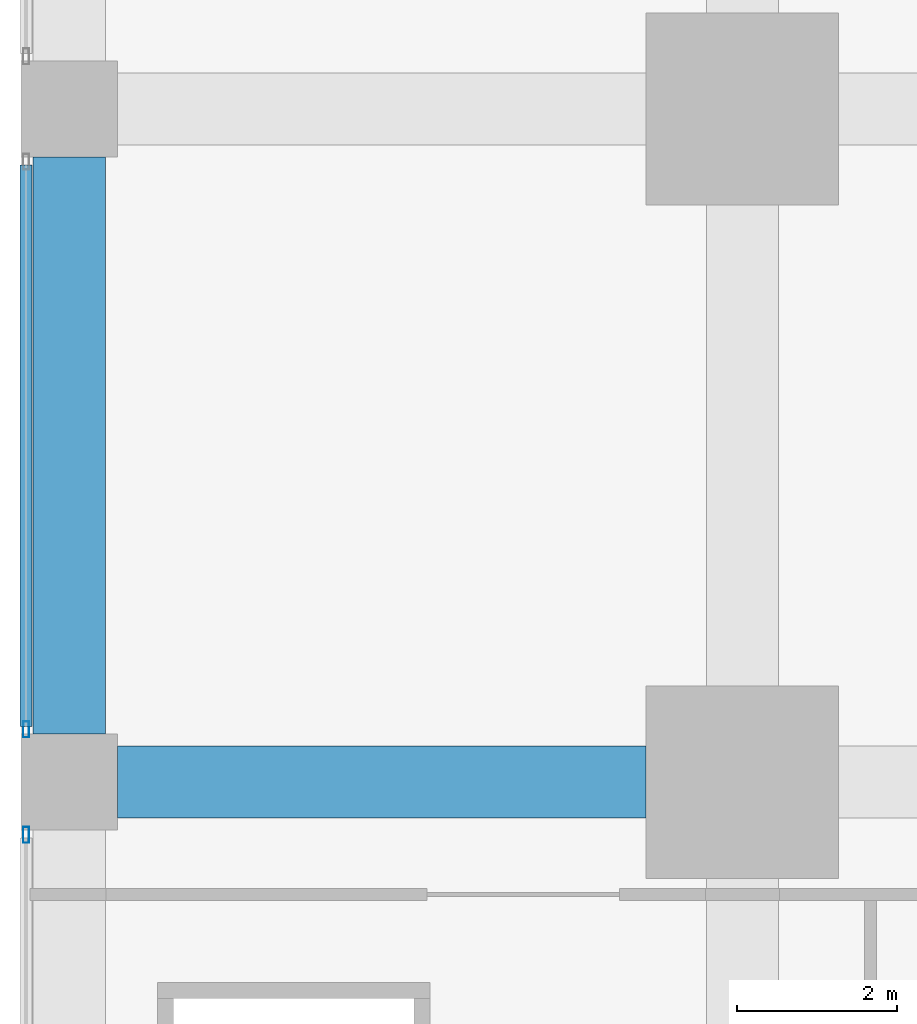
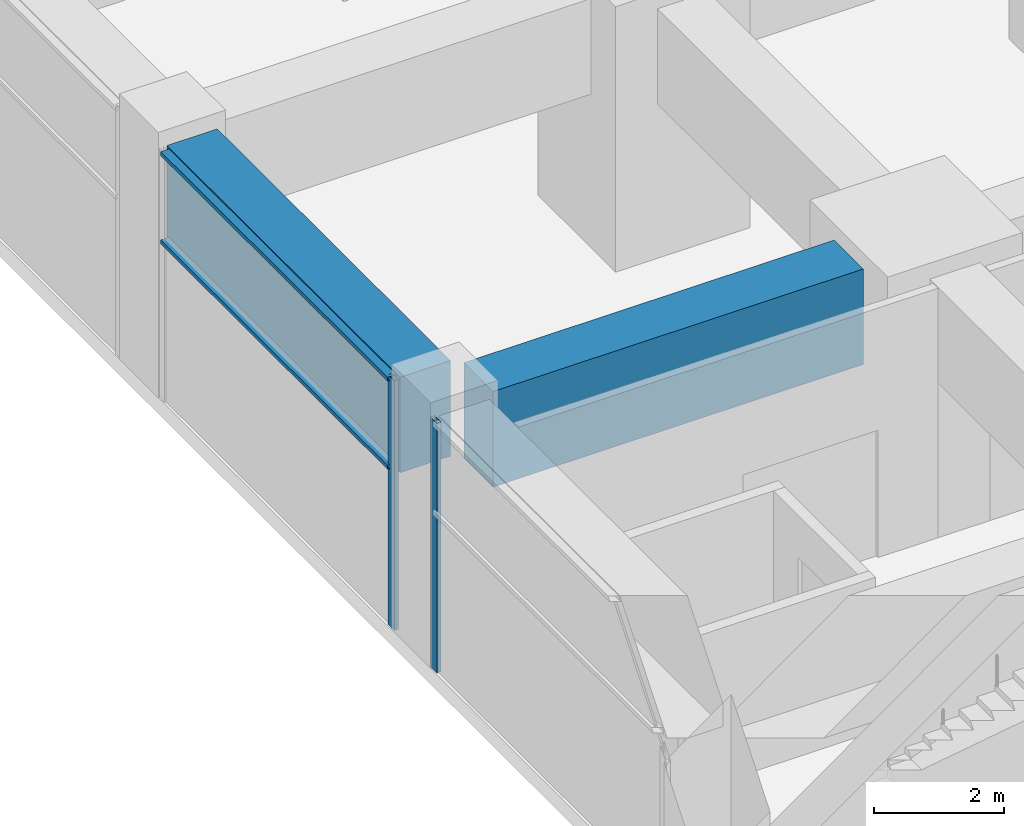
# One storey, part 19 of 49: 4 members, 2 beams, 2 elements without a shape of their own.
"""IFC4 building model written with IfcOpenShell, lengths in metres."""

from ifc_helpers import new_model, si_unit, direction, frame, origin, origin_2d, place, context, subcontext, project, spatial, rectangle, hollow_rectangle, extrude, material, material_profile, profile_set, type_object, element, aggregate, save


model = new_model("IFC4")

# Units and contexts
model_context = context("Model", 3, precision=1e-05, world=origin(), true_north=direction((0.0, 1.0)))
body_context = subcontext(model_context, "Body", "Model", "MODEL_VIEW")
ifc_project = project(units=[si_unit("LENGTHUNIT", "METRE"), si_unit("AREAUNIT", "SQUARE_METRE"), si_unit("VOLUMEUNIT", "CUBIC_METRE"), si_unit("PLANEANGLEUNIT", "RADIAN"), si_unit("MASSUNIT", "GRAM", prefix="KILO")], contexts=[model_context])

# Site, building, storey
site_placement = place(None, origin())
site = spatial("IfcSite", under=ifc_project, at=site_placement, CompositionType="ELEMENT")
building_placement = place(site_placement, origin())
building = spatial("IfcBuilding", under=site, at=building_placement, Name="Rekha Terrace Tower", CompositionType="ELEMENT")
storey_placement = place(building_placement, frame((0.0, 0.0, 10.39990234375)))
storey = spatial("IfcBuildingStorey", under=building, at=storey_placement, Name="L02", CompositionType="ELEMENT", Elevation=10.39990234375)

# Curtain wall, member
ifc_material_1 = material(Name="Aluminium framing", Category="aluminium")
curtain_wall_type = type_object("IfcCurtainWallType", Name="CW4 podium shopfront glazing", PredefinedType="USERDEFINED", material=ifc_material_1)
curtain_wall_1_placement = place(storey_placement, origin())
curtain_wall_1 = element("IfcCurtainWall", 1, at=curtain_wall_1_placement, inside=storey, type_object=curtain_wall_type, Name="CW4 shopfront curtain wall", ObjectType="SHOPFRONT CURTAIN WALL", PredefinedType="USERDEFINED")
ifc_material_2 = material(Name="Aluminium mullion section", Category="aluminium")
ifc_material_profile_1 = material_profile(ifc_material_2, hollow_rectangle(XDim=0.074951171875, YDim=0.199951171875, WallThickness=0.00390625, at=origin_2d()), Name="AL RHS 75x200")
ifc_profile_set_1 = profile_set([ifc_material_profile_1], Name="Aluminium mullion section")
member_type_1 = type_object("IfcMemberType", Name="CW4 mullion RHS 75 x 200", PredefinedType="MULLION", material=ifc_profile_set_1)
member_1_placement = place(storey_placement, frame((-0.5400390625, 42.657470703125, 0.0), z_axis=(0.0, 0.0, 1.0), x_axis=(1.0, 0.0, 0.0)))
member_1 = element("IfcMember", 2, at=member_1_placement, type_object=member_type_1, Name="CW4 mullion 2", PredefinedType="MULLION", context=body_context, shape_type="SweptSolid", body=[
    extrude(hollow_rectangle(XDim=0.074951171875, YDim=0.199951171875, WallThickness=0.00390625, at=origin_2d()), origin(), (0.0, 0.0, 1.0), 4.7001953125),
])

curtain_wall_2_placement = place(storey_placement, origin())
curtain_wall_2 = element("IfcCurtainWall", 3, at=curtain_wall_2_placement, inside=storey, type_object=curtain_wall_type, Name="CW4 shopfront curtain wall", ObjectType="SHOPFRONT CURTAIN WALL", PredefinedType="USERDEFINED")
member_2_placement = place(storey_placement, frame((-0.5400390625, 41.342529296875, 0.0), z_axis=(0.0, 0.0, 1.0), x_axis=(1.0, 0.0, 0.0)))
member_2 = element("IfcMember", 4, at=member_2_placement, type_object=member_type_1, Name="CW4 mullion 1", PredefinedType="MULLION", context=body_context, shape_type="SweptSolid", body=[
    extrude(hollow_rectangle(XDim=0.074951171875, YDim=0.199951171875, WallThickness=0.00390625, at=origin_2d()), origin(), (0.0, 0.0, 1.0), 4.7001953125),
])
aggregate(curtain_wall_2, [member_2])

# Member
ifc_material_3 = material(Name="Aluminium transom section", Category="aluminium")
ifc_material_profile_2 = material_profile(ifc_material_3, hollow_rectangle(XDim=0.14990234375, YDim=0.074951171875, WallThickness=0.0029296875, at=origin_2d()), Name="AL RHS 150x75")
ifc_profile_set_2 = profile_set([ifc_material_profile_2], Name="Aluminium transom section")
member_type_2 = type_object("IfcMemberType", Name="CW4 transom RHS 75 x 150", PredefinedType="USERDEFINED", material=ifc_profile_set_2)
member_3_placement = place(storey_placement, frame((-0.5400390625, 49.705078125, 3.0), z_axis=(0.0, -1.0, 0.0), x_axis=(1.0, 0.0, 0.0)))
member_3 = element("IfcMember", 5, at=member_3_placement, type_object=member_type_2, Name="CW4 transom 1.2", ObjectType="TRANSOM", PredefinedType="USERDEFINED", context=body_context, shape_type="SweptSolid", body=[
    extrude(hollow_rectangle(XDim=0.14990234375, YDim=0.074951171875, WallThickness=0.0029296875, at=origin_2d()), origin(), (0.0, 0.0, 1.0), 7.010009765625),
])

member_4_placement = place(storey_placement, frame((-0.5400390625, 49.705078125, 4.66259765625), z_axis=(0.0, -1.0, 0.0), x_axis=(1.0, 0.0, 0.0)))
member_4 = element("IfcMember", 6, at=member_4_placement, type_object=member_type_2, Name="CW4 transom 1.3", ObjectType="TRANSOM", PredefinedType="USERDEFINED", context=body_context, shape_type="SweptSolid", body=[
    extrude(hollow_rectangle(XDim=0.14990234375, YDim=0.074951171875, WallThickness=0.0029296875, at=origin_2d()), origin(), (0.0, 0.0, 1.0), 7.010009765625),
])

aggregate(curtain_wall_1, [member_1, member_3, member_4])

# Beams
ifc_material_4 = material(Name="Concrete M60", Category="concrete")
ifc_material_profile_3 = material_profile(ifc_material_4, rectangle(XDim=0.89990234375, YDim=1.800048828125, at=origin_2d()), Name="RC 900x1800")
ifc_profile_set_3 = profile_set([ifc_material_profile_3], Name="Concrete M60")
beam_type = type_object("IfcBeamType", Name="G1 900x1800 podium floor beam", PredefinedType="BEAM", material=ifc_profile_set_3)
beam_1_placement = place(storey_placement, frame((0.60009765625, 42.0, 3.800048828125), z_axis=(1.0, 0.0, 0.0), x_axis=(0.0, 1.0, 0.0)))
element("IfcBeam", 7, at=beam_1_placement, inside=storey, type_object=beam_type, Name="Beam G1 1F-2F under L03", PredefinedType="BEAM", context=body_context, shape_type="SweptSolid", body=[
    extrude(rectangle(XDim=0.89990234375, YDim=1.800048828125, at=origin_2d()), origin(), (0.0, 0.0, 1.0), 6.599853515625),
])
beam_2_placement = place(storey_placement, frame((0.0, 42.60009765625, 3.800048828125), z_axis=(0.0, 1.0, 0.0), x_axis=(-1.0, 0.0, 0.0)))
element("IfcBeam", 8, at=beam_2_placement, inside=storey, type_object=beam_type, Name="Beam G1 1F-1G under L03", PredefinedType="BEAM", context=body_context, shape_type="SweptSolid", body=[
    extrude(rectangle(XDim=0.89990234375, YDim=1.800048828125, at=origin_2d()), origin(), (0.0, 0.0, 1.0), 7.199951171875),
])

save(model, "model.ifc")
